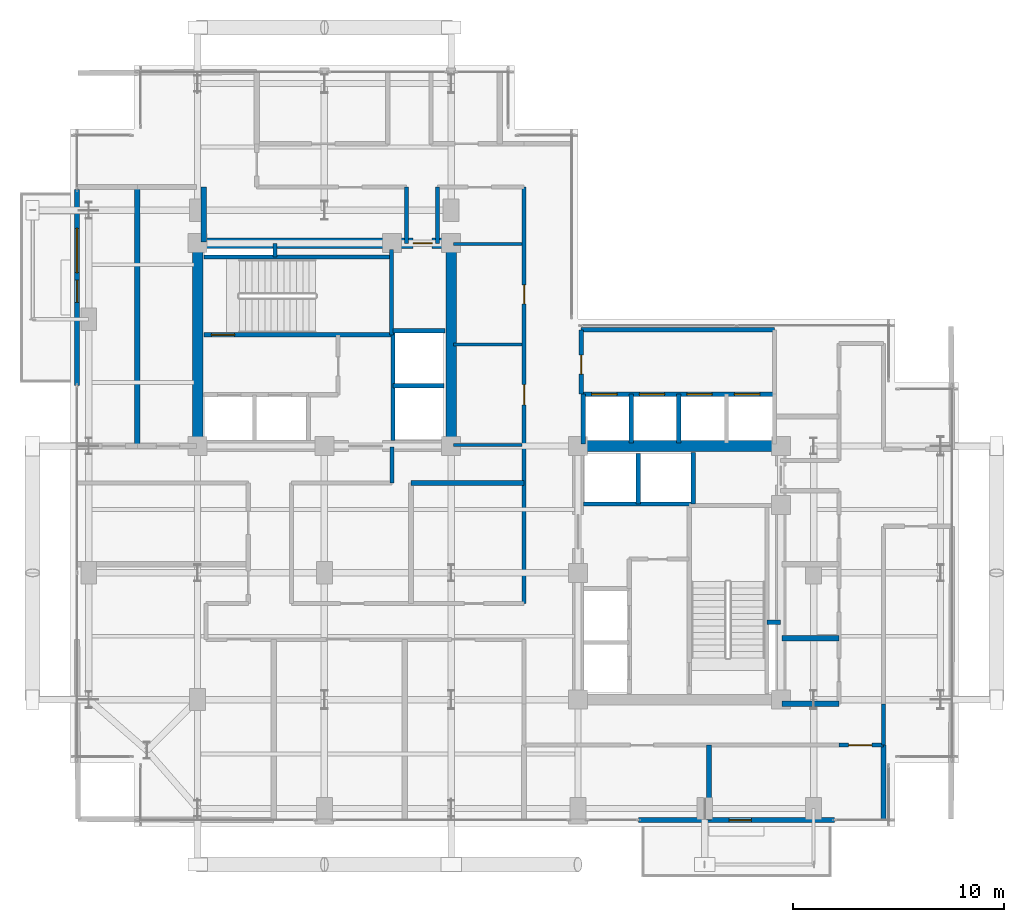
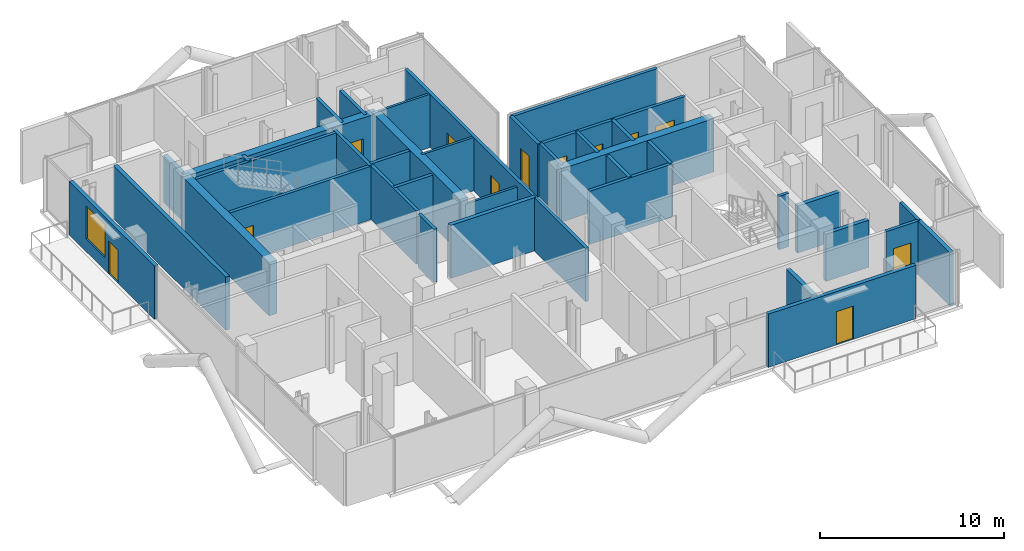
# One storey, part 21 of 26: 39 walls, 12 doors, 1 window, 13 openings.
"""IFC4 building model written with IfcOpenShell, lengths in metres."""

from ifc_helpers import new_model, si_unit, direction, frame, frame_2d, origin, place, context, subcontext, project, spatial, rectangle, extrude, material, layer, layer_set, type_object, element, fill, save


model = new_model("IFC4")

# Units and contexts
model_context = context("Model", 3, precision=1e-05, world=origin(), true_north=direction((0.0, 1.0)))
body_context = subcontext(model_context, "Body", "Model", "MODEL_VIEW")
ifc_project = project(units=[si_unit("LENGTHUNIT", "METRE"), si_unit("AREAUNIT", "SQUARE_METRE"), si_unit("VOLUMEUNIT", "CUBIC_METRE"), si_unit("PLANEANGLEUNIT", "RADIAN"), si_unit("MASSUNIT", "GRAM", prefix="KILO"), si_unit("THERMODYNAMICTEMPERATUREUNIT", "KELVIN"), si_unit("POWERUNIT", "WATT")], contexts=[model_context])

# Site, building, storey
site_placement = place(None, origin())
site = spatial("IfcSite", under=ifc_project, at=site_placement, CompositionType="ELEMENT")
building_placement = place(site_placement, origin())
building = spatial("IfcBuilding", under=site, at=building_placement, Name="Svarakhadi Broadcast Tower", CompositionType="ELEMENT")
storey_placement = place(building_placement, frame((0.0, 0.0, 180.449951171875)))
storey = spatial("IfcBuildingStorey", under=building, at=storey_placement, Name="L44", CompositionType="ELEMENT", Elevation=180.449951171875)

# Walls
ifc_material_1 = material(Name="Double-Stud Acoustic Studio Partition STC-62", Category="gypsum")
ifc_layer_1 = layer(ifc_material_1, 0.25)
ifc_layer_set_1 = layer_set([ifc_layer_1], Name="Double-Stud Acoustic Studio Partition STC-62")
wall_type_1 = type_object("IfcWallType", Name="Wall_Acoust_250", PredefinedType="PARTITIONING", material=ifc_layer_set_1)
wall_1_placement = place(storey_placement, frame((16.10009765625, 16.25, 0.0), z_axis=(0.0, 0.0, 1.0), x_axis=(1.0, 0.0, 0.0)))
element("IfcWall", 1, at=wall_1_placement, inside=storey, type_object=wall_type_1, Name="L44 Accessible Floor Washroom WC Wall", PredefinedType="PARTITIONING", context=body_context, shape_type="SweptSolid", body=[
    extrude(rectangle(XDim=5.349853515625, YDim=0.25, at=frame_2d((2.6748046875, 0.0))), origin(), (0.0, 0.0, 1.0), 3.5400390625),
])
wall_2_placement = place(storey_placement, frame((3.14990234375, 18.0, 0.0), z_axis=(0.0, 0.0, 1.0), x_axis=(0.0, 1.0, 0.0)))
element("IfcWall", 2, at=wall_2_placement, inside=storey, type_object=wall_type_1, Name="L44 Diplomatic Sunset Lounge Wall", PredefinedType="PARTITIONING", context=body_context, shape_type="SweptSolid", body=[
    extrude(rectangle(XDim=12.25, YDim=0.25, at=frame_2d((6.125, 0.0))), origin(), (0.0, 0.0, 1.0), 3.5400390625),
])
wall_3_placement = place(storey_placement, frame((30.199951171875, 0.300048828125, 0.0), z_axis=(0.0, 0.0, 1.0), x_axis=(0.0, 1.0, 0.0)))
element("IfcWall", 3, at=wall_3_placement, inside=storey, type_object=wall_type_1, Name="L44 Hotel Business Centre Office Wall", PredefinedType="PARTITIONING", context=body_context, shape_type="SweptSolid", body=[
    extrude(rectangle(XDim=3.550048828125, YDim=0.25, at=frame_2d((1.77490234375, 0.0))), origin(), (0.0, 0.0, 1.0), 3.217041015625),
])
wall_4_placement = place(storey_placement, frame((38.449951171875, 0.300048828125, 0.0), z_axis=(0.0, 0.0, 1.0), x_axis=(0.0, 1.0, 0.0)))
element("IfcWall", 4, at=wall_4_placement, inside=storey, type_object=wall_type_1, Name="L44 Private Dining Salon Wall", PredefinedType="PARTITIONING", context=body_context, shape_type="SweptSolid", body=[
    extrude(rectangle(XDim=3.550048828125, YDim=0.25, at=frame_2d((1.77490234375, 0.0))), origin(), (0.0, 0.0, 1.0), 3.5400390625),
])
wall_5_placement = place(storey_placement, frame((6.300048828125, 27.64990234375, 0.0), z_axis=(0.0, 0.0, 1.0), x_axis=(0.0, 1.0, 0.0)))
element("IfcWall", 5, at=wall_5_placement, inside=storey, type_object=wall_type_1, Name="L44 Guest Library Study Wall", PredefinedType="PARTITIONING", context=body_context, shape_type="SweptSolid", body=[
    extrude(rectangle(XDim=2.60009765625, YDim=0.25, at=frame_2d((1.300048828125, 0.0))), origin(), (0.0, 0.0, 1.0), 3.132080078125),
])
for number, where, z_axis, x_axis, name in (
    (6, (33.64990234375, 5.800048828125, 0.0), (0.0, 0.0, 1.0), (1.0, 0.0, 0.0), "L44 Sommelier Wine Tasting Room Wall"),
    (7, (33.64990234375, 8.89990234375, 0.0), (0.0, 0.0, 1.0), (1.0, 0.0, 0.0), "L44 Sommelier Wine Tasting Room Wall"),
):
    element("IfcWall", number, at=place(storey_placement, frame(where, z_axis=z_axis, x_axis=x_axis)), inside=storey, type_object=wall_type_1, Name=name, PredefinedType="PARTITIONING", context=body_context, shape_type="SweptSolid", body=[
        extrude(rectangle(XDim=2.7001953125, YDim=0.25, at=frame_2d((1.35009765625, 0.0))), origin(), (0.0, 0.0, 1.0), 3.132080078125),
    ])

# Wall, opening, door
ifc_material_2 = material(Name="Concrete C40/50 (IS 456 M50)", Category="concrete")
ifc_layer_2 = layer(ifc_material_2, 0.239990234375)
ifc_layer_set_2 = layer_set([ifc_layer_2], Name="Concrete C40/50 (IS 456 M50)")
wall_type_2 = type_object("IfcWallType", Name="Wall_Ext_240", PredefinedType="SOLIDWALL", material=ifc_layer_set_2)
wall_6_placement = place(storey_placement, frame((36.14501953125, 0.300048828125, 0.0), z_axis=(0.0, 0.0, 1.0), x_axis=(-1.0, 0.0, 0.0)))
wall_6 = element("IfcWall", 8, at=wall_6_placement, inside=storey, type_object=wall_type_2, Name="L44 South Tree Balcony Spandrel Wall", PredefinedType="SOLIDWALL", context=body_context, shape_type="SweptSolid", body=[
    extrude(rectangle(XDim=9.2900390625, YDim=0.239990234375, at=frame_2d((4.64501953125, 0.0))), origin(), (0.0, 0.0, 1.0), 3.5400390625),
])
opening_1_placement = place(wall_6_placement, frame((3.945068359375, 0.0, 0.0)))
opening_1 = element("IfcOpeningElement", 9, at=opening_1_placement, cuts=wall_6, Name="Opening ED-06", PredefinedType="OPENING", context=body_context, shape_type="SweptSolid", body=[
    extrude(rectangle(XDim=1.050048828125, YDim=2.199951171875, at=frame_2d((0.52490234375, 1.10009765625))), frame((0.0, 0.1298828125, 0.0), z_axis=(0.0, -1.0, 0.0), x_axis=(1.0, 0.0, 0.0)), (0.0, 0.0, 1.0), 0.260009765625),
])
ifc_material_3 = material(Name="Anodised Bronze Aluminium AA 6063-T6", Category="aluminium")
door_type_1 = type_object("IfcDoorType", Name="Door_Ext_ED06", OperationType="SINGLE_SWING_RIGHT", PredefinedType="DOOR", material=ifc_material_3)
door_1_placement = place(opening_1_placement, origin())
door_1 = element("IfcDoor", 10, at=door_1_placement, inside=storey, type_object=door_type_1, Name="L44 South Tree Balcony Door", OperationType="SINGLE_SWING_RIGHT", OverallHeight=2.199951171875, OverallWidth=1.050048828125, PredefinedType="DOOR", context=body_context, shape_type="SweptSolid", body=[
    extrude(rectangle(XDim=1.050048828125, YDim=2.199951171875, at=frame_2d((0.52490234375, 1.10009765625))), frame((0.0, 0.02490234375, 0.0), z_axis=(0.0, -1.0, 0.0), x_axis=(1.0, 0.0, 0.0)), (0.0, 0.0, 1.0), 0.050048828125),
])
fill(opening_1, door_1)

# Wall, openings, door, window
wall_7_placement = place(storey_placement, frame((0.300048828125, 20.85498046875, 0.0), z_axis=(0.0, 0.0, 1.0), x_axis=(0.0, 1.0, 0.0)))
wall_7 = element("IfcWall", 11, at=wall_7_placement, inside=storey, type_object=wall_type_2, Name="L44 West Tree Balcony Spandrel Wall", PredefinedType="SOLIDWALL", context=body_context, shape_type="SweptSolid", body=[
    extrude(rectangle(XDim=9.2900390625, YDim=0.239990234375, at=frame_2d((4.64501953125, 0.0))), origin(), (0.0, 0.0, 1.0), 3.5400390625),
])
opening_2_placement = place(wall_7_placement, frame((3.945068359375, 0.0, 0.0)))
opening_2 = element("IfcOpeningElement", 12, at=opening_2_placement, cuts=wall_7, Name="Opening ED-05", PredefinedType="OPENING", context=body_context, shape_type="SweptSolid", body=[
    extrude(rectangle(XDim=1.050048828125, YDim=2.199951171875, at=frame_2d((0.52490234375, 1.10009765625))), frame((0.0, 0.1298828125, 0.0), z_axis=(0.0, -1.0, 0.0), x_axis=(1.0, 0.0, 0.0)), (0.0, 0.0, 1.0), 0.260009765625),
])
opening_3_placement = place(wall_7_placement, frame((5.344970703125, 0.0, 0.85009765625)))
opening_3 = element("IfcOpeningElement", 13, at=opening_3_placement, cuts=wall_7, Name="Opening WN-06", PredefinedType="OPENING", context=body_context, shape_type="SweptSolid", body=[
    extrude(rectangle(XDim=2.10009765625, YDim=2.199951171875, at=frame_2d((1.050048828125, 1.10009765625))), frame((0.0, 0.1298828125, 0.0), z_axis=(0.0, -1.0, 0.0), x_axis=(1.0, 0.0, 0.0)), (0.0, 0.0, 1.0), 0.260009765625),
])
door_type_2 = type_object("IfcDoorType", Name="Door_Ext_ED05", OperationType="SINGLE_SWING_LEFT", PredefinedType="DOOR", material=ifc_material_3)
door_2_placement = place(opening_2_placement, origin())
door_2 = element("IfcDoor", 14, at=door_2_placement, inside=storey, type_object=door_type_2, Name="L44 West Tree Balcony Door", OperationType="SINGLE_SWING_LEFT", OverallHeight=2.199951171875, OverallWidth=1.050048828125, PredefinedType="DOOR", context=body_context, shape_type="SweptSolid", body=[
    extrude(rectangle(XDim=1.050048828125, YDim=2.199951171875, at=frame_2d((0.52490234375, 1.10009765625))), frame((0.0, 0.02490234375, 0.0), z_axis=(0.0, -1.0, 0.0), x_axis=(1.0, 0.0, 0.0)), (0.0, 0.0, 1.0), 0.050048828125),
])
fill(opening_2, door_2)
ifc_material_4 = material(Name="Double Low-E Laminated Acoustic Glass IGU 36 mm", Category="glass")
window_type = type_object("IfcWindowType", Name="Win_Hotel_WN06", PartitioningType="SINGLE_PANEL", PredefinedType="WINDOW", material=ifc_material_4)
window_placement = place(opening_3_placement, origin())
window = element("IfcWindow", 15, at=window_placement, inside=storey, type_object=window_type, Name="L44 West Tree Balcony Window", OverallHeight=2.199951171875, OverallWidth=2.10009765625, PartitioningType="SINGLE_PANEL", PredefinedType="WINDOW", context=body_context, shape_type="SweptSolid", body=[
    extrude(rectangle(XDim=2.10009765625, YDim=2.199951171875, at=frame_2d((1.050048828125, 1.10009765625))), frame((0.0, 0.030029296875, 0.0), z_axis=(0.0, -1.0, 0.0), x_axis=(1.0, 0.0, 0.0)), (0.0, 0.0, 1.0), 0.06005859375),
])
fill(opening_3, window)

# Walls
ifc_layer_3 = layer(ifc_material_2, 0.199951171875)
ifc_layer_set_3 = layer_set([ifc_layer_3], Name="Concrete C40/50 (IS 456 M50)")
wall_type_3 = type_object("IfcWallType", Name="Wall_Fire_200", PredefinedType="SOLIDWALL", material=ifc_layer_set_3)
for number, where, z_axis, x_axis, name in (
    (16, (9.659912109375, 26.93994140625, 0.0), (0.0, 0.0, 1.0), (0.0, 1.0, 0.0), "L44 Wet Riser Shaft East Wall"),
    (17, (32.93994140625, 9.659912109375, 0.0), (0.0, 0.0, 1.0), (1.0, 0.0, 0.0), "L44 HV Busduct Riser Shaft North Wall"),
):
    element("IfcWall", number, at=place(storey_placement, frame(where, z_axis=z_axis, x_axis=x_axis)), inside=storey, type_object=wall_type_3, Name=name, PredefinedType="SOLIDWALL", context=body_context, shape_type="SweptSolid", body=[
        extrude(rectangle(XDim=0.64013671875, YDim=0.199951171875, at=frame_2d((0.320068359375, 0.0))), origin(), (0.0, 0.0, 1.0), 3.5400390625),
    ])
wall_8_placement = place(storey_placement, frame((38.449951171875, 5.800048828125, 0.0), z_axis=(0.0, 0.0, 1.0), x_axis=(0.0, -1.0, 0.0)))
element("IfcWall", 18, at=wall_8_placement, inside=storey, type_object=wall_type_3, Name="L44 Zone 2/3 Corridor Wall", PredefinedType="SOLIDWALL", context=body_context, shape_type="SweptSolid", body=[
    extrude(rectangle(XDim=1.949951171875, YDim=0.199951171875, at=frame_2d((0.97509765625, 0.0))), origin(), (0.0, 0.0, 1.0), 3.5400390625),
])

# Wall, opening, door
wall_9_placement = place(storey_placement, frame((38.449951171875, 3.85009765625, 0.0), z_axis=(0.0, 0.0, 1.0), x_axis=(-1.0, 0.0, 0.0)))
wall_9 = element("IfcWall", 19, at=wall_9_placement, inside=storey, type_object=wall_type_3, Name="L44 Zone 2/3 Corridor Wall", PredefinedType="SOLIDWALL", context=body_context, shape_type="SweptSolid", body=[
    extrude(rectangle(XDim=2.099853515625, YDim=0.199951171875, at=frame_2d((1.0498046875, 0.0))), origin(), (0.0, 0.0, 1.0), 3.5400390625),
])
opening_4_placement = place(wall_9_placement, frame((0.550048828125, 0.0, 0.0)))
opening_4 = element("IfcOpeningElement", 20, at=opening_4_placement, cuts=wall_9, Name="Opening D-10", PredefinedType="OPENING", context=body_context, shape_type="SweptSolid", body=[
    extrude(rectangle(XDim=1.10009765625, YDim=2.25, at=frame_2d((0.550048828125, 1.125))), frame((0.0, 0.10986328125, 0.0), z_axis=(0.0, -1.0, 0.0), x_axis=(1.0, 0.0, 0.0)), (0.0, 0.0, 1.0), 0.219970703125),
])
ifc_material_5 = material(Name="Solid-Core Teak Veneer Acoustic Timber Leaf", Category="wood")
door_type_3 = type_object("IfcDoorType", Name="Door_Acoust_D10", OperationType="SINGLE_SWING_LEFT", PredefinedType="DOOR", material=ifc_material_5)
door_3_placement = place(opening_4_placement, origin())
door_3 = element("IfcDoor", 21, at=door_3_placement, inside=storey, type_object=door_type_3, Name="L44 Private Dining Salon Door", OperationType="SINGLE_SWING_LEFT", OverallHeight=2.25, OverallWidth=1.10009765625, PredefinedType="DOOR", context=body_context, shape_type="SweptSolid", body=[
    extrude(rectangle(XDim=1.10009765625, YDim=2.25, at=frame_2d((0.550048828125, 1.125))), frame((0.0, 0.02490234375, 0.0), z_axis=(0.0, -1.0, 0.0), x_axis=(1.0, 0.0, 0.0)), (0.0, 0.0, 1.0), 0.050048828125),
])
fill(opening_4, door_3)

# Wall
wall_10_placement = place(storey_placement, frame((15.199951171875, 17.949951171875, 0.0), z_axis=(0.0, 0.0, 1.0), x_axis=(0.0, -1.0, 0.0)))
element("IfcWall", 22, at=wall_10_placement, inside=storey, type_object=wall_type_3, Name="L44 Zone 2/3 Corridor Wall", PredefinedType="SOLIDWALL", context=body_context, shape_type="SweptSolid", body=[
    extrude(rectangle(XDim=1.699951171875, YDim=0.199951171875, at=frame_2d((0.85009765625, 0.0))), origin(), (0.0, 0.0, 1.0), 3.5400390625),
])

# Wall, openings, doors
wall_11_placement = place(storey_placement, frame((21.449951171875, 10.550048828125, 0.0), z_axis=(0.0, 0.0, 1.0), x_axis=(0.0, 1.0, 0.0)))
wall_11 = element("IfcWall", 23, at=wall_11_placement, inside=storey, type_object=wall_type_3, Name="L44 Zone 2/3 Corridor Wall", PredefinedType="SOLIDWALL", context=body_context, shape_type="SweptSolid", body=[
    extrude(rectangle(XDim=19.699951171875, YDim=0.199951171875, at=frame_2d((9.85009765625, 0.0))), origin(), (0.0, 0.0, 1.0), 3.5400390625),
])
opening_5_placement = place(wall_11_placement, frame((9.39990234375, 0.0, 0.0)))
opening_5 = element("IfcOpeningElement", 24, at=opening_5_placement, cuts=wall_11, Name="Opening D-07", PredefinedType="OPENING", context=body_context, shape_type="SweptSolid", body=[
    extrude(rectangle(XDim=0.949951171875, YDim=2.14990234375, at=frame_2d((0.47509765625, 1.074951171875))), frame((0.0, 0.10986328125, 0.0), z_axis=(0.0, -1.0, 0.0), x_axis=(1.0, 0.0, 0.0)), (0.0, 0.0, 1.0), 0.219970703125),
])
opening_6_placement = place(wall_11_placement, frame((14.175048828125, 0.0, 0.0)))
opening_6 = element("IfcOpeningElement", 25, at=opening_6_placement, cuts=wall_11, Name="Opening D-12", PredefinedType="OPENING", context=body_context, shape_type="SweptSolid", body=[
    extrude(rectangle(XDim=0.89990234375, YDim=2.10009765625, at=frame_2d((0.449951171875, 1.050048828125))), frame((0.0, 0.10986328125, 0.0), z_axis=(0.0, -1.0, 0.0), x_axis=(1.0, 0.0, 0.0)), (0.0, 0.0, 1.0), 0.219970703125),
])
door_type_4 = type_object("IfcDoorType", Name="Door_Office_D07", OperationType="SINGLE_SWING_RIGHT", PredefinedType="DOOR", material=ifc_material_5)
door_4_placement = place(opening_5_placement, origin())
door_4 = element("IfcDoor", 26, at=door_4_placement, inside=storey, type_object=door_type_4, Name="L44 Hotel Floor Butler Service Pantry Door", OperationType="SINGLE_SWING_RIGHT", OverallHeight=2.14990234375, OverallWidth=0.949951171875, PredefinedType="DOOR", context=body_context, shape_type="SweptSolid", body=[
    extrude(rectangle(XDim=0.949951171875, YDim=2.14990234375, at=frame_2d((0.47509765625, 1.074951171875))), frame((0.0, 0.02490234375, 0.0), z_axis=(0.0, -1.0, 0.0), x_axis=(1.0, 0.0, 0.0)), (0.0, 0.0, 1.0), 0.050048828125),
])
fill(opening_5, door_4)
door_type_5 = type_object("IfcDoorType", Name="Door_WC_D01", OperationType="SINGLE_SWING_LEFT", PredefinedType="DOOR", material=ifc_material_5)
door_5_placement = place(opening_6_placement, origin())
door_5 = element("IfcDoor", 27, at=door_5_placement, inside=storey, type_object=door_type_5, Name="L44 Accessible Guest Washroom WC Door", OperationType="SINGLE_SWING_LEFT", OverallHeight=2.10009765625, OverallWidth=0.89990234375, PredefinedType="DOOR", context=body_context, shape_type="SweptSolid", body=[
    extrude(rectangle(XDim=0.89990234375, YDim=2.10009765625, at=frame_2d((0.449951171875, 1.050048828125))), frame((0.0, 0.02490234375, 0.0), z_axis=(0.0, -1.0, 0.0), x_axis=(1.0, 0.0, 0.0)), (0.0, 0.0, 1.0), 0.050048828125),
])
fill(opening_6, door_5)

# Walls
for number, where, z_axis, x_axis, name in (
    (28, (17.35009765625, 30.25, 0.0), (0.0, 0.0, 1.0), (0.0, -1.0, 0.0), "L44 Zone 2/3 Corridor Wall"),
    (29, (15.8798828125, 27.580078125, 0.0), (0.0, 0.0, 1.0), (0.0, 1.0, 0.0), "L44 Zone 2/3 Corridor Wall"),
):
    element("IfcWall", number, at=place(storey_placement, frame(where, z_axis=z_axis, x_axis=x_axis)), inside=storey, type_object=wall_type_3, Name=name, PredefinedType="SOLIDWALL", context=body_context, shape_type="SweptSolid", body=[
        extrude(rectangle(XDim=2.669921875, YDim=0.199951171875, at=frame_2d((1.3349609375, 0.0))), origin(), (0.0, 0.0, 1.0), 3.5400390625),
    ])
ifc_material_6 = material(Name="Autoclaved Aerated Concrete Blockwork 150 mm", Category="masonry")
ifc_layer_4 = layer(ifc_material_6, 0.14990234375)
ifc_layer_set_4 = layer_set([ifc_layer_4], Name="Autoclaved Aerated Concrete Blockwork 150 mm")
wall_type_4 = type_object("IfcWallType", Name="Wall_Part_150", PredefinedType="PARTITIONING", material=ifc_layer_set_4)
wall_12_placement = place(storey_placement, frame((18.10009765625, 18.050048828125, 0.0), z_axis=(0.0, 0.0, 1.0), x_axis=(1.0, 0.0, 0.0)))
element("IfcWall", 30, at=wall_12_placement, inside=storey, type_object=wall_type_4, Name="L44 Hotel Floor Butler Service Pantry Wall", PredefinedType="PARTITIONING", context=body_context, shape_type="SweptSolid", body=[
    extrude(rectangle(XDim=3.25, YDim=0.14990234375, at=frame_2d((1.625, 0.0))), origin(), (0.0, 0.0, 1.0), 3.132080078125),
])
for number, where, z_axis, x_axis, name in (
    (31, (18.10009765625, 22.800048828125, 0.0), (0.0, 0.0, 1.0), (1.0, 0.0, 0.0), "L44 Hotel Floor Butler Service Pantry Wall"),
    (32, (18.10009765625, 27.550048828125, 0.0), (0.0, 0.0, 1.0), (1.0, 0.0, 0.0), "L44 Accessible Guest Washroom WC Wall"),
):
    element("IfcWall", number, at=place(storey_placement, frame(where, z_axis=z_axis, x_axis=x_axis)), inside=storey, type_object=wall_type_4, Name=name, PredefinedType="PARTITIONING", context=body_context, shape_type="SweptSolid", body=[
        extrude(rectangle(XDim=3.25, YDim=0.14990234375, at=frame_2d((1.625, 0.0))), origin(), (0.0, 0.0, 1.0), 3.5400390625),
    ])

# Wall, opening, door
ifc_material_7 = material(Name="Concrete C50/60 (IS 456 M60)", Category="concrete")
ifc_layer_5 = layer(ifc_material_7, 0.199951171875)
ifc_layer_set_5 = layer_set([ifc_layer_5], Name="Concrete C50/60 (IS 456 M60)")
wall_type_5 = type_object("IfcWallType", Name="Wall_Shear_200", PredefinedType="SHEAR", material=ifc_layer_set_5)
wall_13_placement = place(storey_placement, frame((6.300048828125, 23.260009765625, 0.0), z_axis=(0.0, 0.0, 1.0), x_axis=(1.0, 0.0, 0.0)))
wall_13 = element("IfcWall", 33, at=wall_13_placement, inside=storey, type_object=wall_type_5, Name="L44 Stair ST-01 South RC Shaft Wall", PredefinedType="SHEAR", context=body_context, shape_type="SweptSolid", body=[
    extrude(rectangle(XDim=8.8798828125, YDim=0.199951171875, at=frame_2d((4.43994140625, 0.0))), origin(), (0.0, 0.0, 1.0), 3.5400390625),
])
opening_7_placement = place(wall_13_placement, frame((0.35009765625, 0.0, 0.0)))
opening_7 = element("IfcOpeningElement", 34, at=opening_7_placement, cuts=wall_13, Name="Opening D-01", PredefinedType="OPENING", context=body_context, shape_type="SweptSolid", body=[
    extrude(rectangle(XDim=1.10009765625, YDim=2.199951171875, at=frame_2d((0.550048828125, 1.10009765625))), frame((0.0, 0.10986328125, 0.0), z_axis=(0.0, -1.0, 0.0), x_axis=(1.0, 0.0, 0.0)), (0.0, 0.0, 1.0), 0.219970703125),
])
ifc_material_8 = material(Name="Galvanised Powder-Coated Fire-Rated Steel Leaf", Category="steel")
door_type_6 = type_object("IfcDoorType", Name="Door_Stair_D01", OperationType="SINGLE_SWING_LEFT", PredefinedType="DOOR", material=ifc_material_8)
door_6_placement = place(opening_7_placement, origin())
door_6 = element("IfcDoor", 35, at=door_6_placement, inside=storey, type_object=door_type_6, Name="L44 Protected Exit Stair ST-01 Fire Door", OperationType="SINGLE_SWING_LEFT", OverallHeight=2.199951171875, OverallWidth=1.10009765625, PredefinedType="DOOR", context=body_context, shape_type="SweptSolid", body=[
    extrude(rectangle(XDim=1.10009765625, YDim=2.199951171875, at=frame_2d((0.550048828125, 1.10009765625))), frame((0.0, 0.02490234375, 0.0), z_axis=(0.0, -1.0, 0.0), x_axis=(1.0, 0.0, 0.0)), (0.0, 0.0, 1.0), 0.050048828125),
])
fill(opening_7, door_6)

# Walls
wall_14_placement = place(storey_placement, frame((6.300048828125, 26.93994140625, 0.0), z_axis=(0.0, 0.0, 1.0), x_axis=(1.0, 0.0, 0.0)))
element("IfcWall", 36, at=wall_14_placement, inside=storey, type_object=wall_type_5, Name="L44 Stair ST-01 North RC Shaft Wall", PredefinedType="SHEAR", context=body_context, shape_type="SweptSolid", body=[
    extrude(rectangle(XDim=8.8798828125, YDim=0.199951171875, at=frame_2d((4.43994140625, 0.0))), origin(), (0.0, 0.0, 1.0), 3.5400390625),
])
wall_15_placement = place(storey_placement, frame((15.179931640625, 23.260009765625, 0.0), z_axis=(0.0, 0.0, 1.0), x_axis=(0.0, 1.0, 0.0)))
element("IfcWall", 37, at=wall_15_placement, inside=storey, type_object=wall_type_5, Name="L44 Stair ST-01 East RC Shaft Wall", PredefinedType="SHEAR", context=body_context, shape_type="SweptSolid", body=[
    extrude(rectangle(XDim=4.0400390625, YDim=0.199951171875, at=frame_2d((2.02001953125, 0.0))), origin(), (0.0, 0.0, 1.0), 3.5400390625),
])
wall_16_placement = place(storey_placement, frame((15.25, 18.25, 0.0), z_axis=(0.0, 0.0, 1.0), x_axis=(0.0, 1.0, 0.0)))
element("IfcWall", 38, at=wall_16_placement, inside=storey, type_object=wall_type_5, Name="L44 High-Rise Lift LF-13/14 West Shaft Wall", PredefinedType="SHEAR", context=body_context, shape_type="SweptSolid", body=[
    extrude(rectangle(XDim=5.199951171875, YDim=0.199951171875, at=frame_2d((2.60009765625, 0.0))), origin(), (0.0, 0.0, 1.0), 3.5400390625),
])
wall_17_placement = place(storey_placement, frame((15.25, 20.85009765625, 0.0), z_axis=(0.0, 0.0, 1.0), x_axis=(1.0, 0.0, 0.0)))
element("IfcWall", 39, at=wall_17_placement, inside=storey, type_object=wall_type_5, Name="L44 High-Rise Lift LF-13/14 Divider", PredefinedType="SHEAR", context=body_context, shape_type="SweptSolid", body=[
    extrude(rectangle(XDim=2.39990234375, YDim=0.199951171875, at=frame_2d((1.199951171875, 0.0))), origin(), (0.0, 0.0, 1.0), 3.5400390625),
])
wall_18_placement = place(storey_placement, frame((15.25, 23.449951171875, 0.0), z_axis=(0.0, 0.0, 1.0), x_axis=(1.0, 0.0, 0.0)))
element("IfcWall", 40, at=wall_18_placement, inside=storey, type_object=wall_type_5, Name="L44 High-Rise Lift LF-13/14 North Wall", PredefinedType="SHEAR", context=body_context, shape_type="SweptSolid", body=[
    extrude(rectangle(XDim=2.449951171875, YDim=0.199951171875, at=frame_2d((1.22509765625, 0.0))), origin(), (0.0, 0.0, 1.0), 3.5400390625),
])
wall_19_placement = place(storey_placement, frame((24.25, 15.25, 0.0), z_axis=(0.0, 0.0, 1.0), x_axis=(1.0, 0.0, 0.0)))
element("IfcWall", 41, at=wall_19_placement, inside=storey, type_object=wall_type_5, Name="L44 High-Rise Lift LF-15/16 South Shaft Wall", PredefinedType="SHEAR", context=body_context, shape_type="SweptSolid", body=[
    extrude(rectangle(XDim=5.199951171875, YDim=0.199951171875, at=frame_2d((2.60009765625, 0.0))), origin(), (0.0, 0.0, 1.0), 3.5400390625),
])
wall_20_placement = place(storey_placement, frame((26.85009765625, 15.25, 0.0), z_axis=(0.0, 0.0, 1.0), x_axis=(0.0, 1.0, 0.0)))
element("IfcWall", 42, at=wall_20_placement, inside=storey, type_object=wall_type_5, Name="L44 High-Rise Lift LF-15/16 Divider", PredefinedType="SHEAR", context=body_context, shape_type="SweptSolid", body=[
    extrude(rectangle(XDim=2.39990234375, YDim=0.199951171875, at=frame_2d((1.199951171875, 0.0))), origin(), (0.0, 0.0, 1.0), 3.5400390625),
])
wall_21_placement = place(storey_placement, frame((29.449951171875, 15.25, 0.0), z_axis=(0.0, 0.0, 1.0), x_axis=(0.0, 1.0, 0.0)))
element("IfcWall", 43, at=wall_21_placement, inside=storey, type_object=wall_type_5, Name="L44 High-Rise Lift LF-15/16 East Wall", PredefinedType="SHEAR", context=body_context, shape_type="SweptSolid", body=[
    extrude(rectangle(XDim=2.449951171875, YDim=0.199951171875, at=frame_2d((1.22509765625, 0.0))), origin(), (0.0, 0.0, 1.0), 3.5400390625),
])
wall_22_placement = place(storey_placement, frame((24.25, 18.10009765625, 0.0), z_axis=(0.0, 0.0, 1.0), x_axis=(0.0, 1.0, 0.0)))
element("IfcWall", 44, at=wall_22_placement, inside=storey, type_object=wall_type_5, Name="L44 Bank B West Shaft Wall", PredefinedType="SHEAR", context=body_context, shape_type="SweptSolid", body=[
    extrude(rectangle(XDim=2.349853515625, YDim=0.199951171875, at=frame_2d((1.1748046875, 0.0))), origin(), (0.0, 0.0, 1.0), 3.5400390625),
])

# Wall, openings, doors
wall_23_placement = place(storey_placement, frame((24.25, 20.449951171875, 0.0), z_axis=(0.0, 0.0, 1.0), x_axis=(1.0, 0.0, 0.0)))
wall_23 = element("IfcWall", 45, at=wall_23_placement, inside=storey, type_object=wall_type_5, Name="L44 Bank B North Landing Wall", PredefinedType="SHEAR", context=body_context, shape_type="SweptSolid", body=[
    extrude(rectangle(XDim=9.050048828125, YDim=0.199951171875, at=frame_2d((4.52490234375, 0.0))), origin(), (0.0, 0.0, 1.0), 3.5400390625),
])
opening_8_placement = place(wall_23_placement, frame((0.39990234375, 0.0, 0.0)))
opening_8 = element("IfcOpeningElement", 46, at=opening_8_placement, cuts=wall_23, Name="Opening LD-02", PredefinedType="OPENING", context=body_context, shape_type="SweptSolid", body=[
    extrude(rectangle(XDim=1.199951171875, YDim=2.199951171875, at=frame_2d((0.60009765625, 1.10009765625))), frame((0.0, 0.10986328125, 0.0), z_axis=(0.0, -1.0, 0.0), x_axis=(1.0, 0.0, 0.0)), (0.0, 0.0, 1.0), 0.219970703125),
])
opening_9_placement = place(wall_23_placement, frame((2.64990234375, 0.0, 0.0)))
opening_9 = element("IfcOpeningElement", 47, at=opening_9_placement, cuts=wall_23, Name="Opening LD-02", PredefinedType="OPENING", context=body_context, shape_type="SweptSolid", body=[
    extrude(rectangle(XDim=1.199951171875, YDim=2.199951171875, at=frame_2d((0.60009765625, 1.10009765625))), frame((0.0, 0.10986328125, 0.0), z_axis=(0.0, -1.0, 0.0), x_axis=(1.0, 0.0, 0.0)), (0.0, 0.0, 1.0), 0.219970703125),
])
opening_10_placement = place(wall_23_placement, frame((4.89990234375, 0.0, 0.0)))
opening_10 = element("IfcOpeningElement", 48, at=opening_10_placement, cuts=wall_23, Name="Opening LD-02", PredefinedType="OPENING", context=body_context, shape_type="SweptSolid", body=[
    extrude(rectangle(XDim=1.199951171875, YDim=2.199951171875, at=frame_2d((0.60009765625, 1.10009765625))), frame((0.0, 0.10986328125, 0.0), z_axis=(0.0, -1.0, 0.0), x_axis=(1.0, 0.0, 0.0)), (0.0, 0.0, 1.0), 0.219970703125),
])
opening_11_placement = place(wall_23_placement, frame((7.14990234375, 0.0, 0.0)))
opening_11 = element("IfcOpeningElement", 49, at=opening_11_placement, cuts=wall_23, Name="Opening LD-02", PredefinedType="OPENING", context=body_context, shape_type="SweptSolid", body=[
    extrude(rectangle(XDim=1.199951171875, YDim=2.199951171875, at=frame_2d((0.60009765625, 1.10009765625))), frame((0.0, 0.10986328125, 0.0), z_axis=(0.0, -1.0, 0.0), x_axis=(1.0, 0.0, 0.0)), (0.0, 0.0, 1.0), 0.219970703125),
])
door_type_7 = type_object("IfcDoorType", Name="Door_Lift_LD02", OperationType="SLIDING_TO_RIGHT", PredefinedType="DOOR", material=ifc_material_8)
door_7_placement = place(opening_8_placement, origin())
door_7 = element("IfcDoor", 50, at=door_7_placement, inside=storey, type_object=door_type_7, Name="L44 Mid-Rise Lift LF-09 Landing Door", OperationType="SLIDING_TO_RIGHT", OverallHeight=2.199951171875, OverallWidth=1.199951171875, PredefinedType="DOOR", context=body_context, shape_type="SweptSolid", body=[
    extrude(rectangle(XDim=1.199951171875, YDim=2.199951171875, at=frame_2d((0.60009765625, 1.10009765625))), frame((0.0, 0.02490234375, 0.0), z_axis=(0.0, -1.0, 0.0), x_axis=(1.0, 0.0, 0.0)), (0.0, 0.0, 1.0), 0.050048828125),
])
fill(opening_8, door_7)
door_8_placement = place(opening_9_placement, origin())
door_8 = element("IfcDoor", 51, at=door_8_placement, inside=storey, type_object=door_type_7, Name="L44 Mid-Rise Lift LF-10 Landing Door", OperationType="SLIDING_TO_RIGHT", OverallHeight=2.199951171875, OverallWidth=1.199951171875, PredefinedType="DOOR", context=body_context, shape_type="SweptSolid", body=[
    extrude(rectangle(XDim=1.199951171875, YDim=2.199951171875, at=frame_2d((0.60009765625, 1.10009765625))), frame((0.0, 0.02490234375, 0.0), z_axis=(0.0, -1.0, 0.0), x_axis=(1.0, 0.0, 0.0)), (0.0, 0.0, 1.0), 0.050048828125),
])
fill(opening_9, door_8)
door_9_placement = place(opening_10_placement, origin())
door_9 = element("IfcDoor", 52, at=door_9_placement, inside=storey, type_object=door_type_7, Name="L44 Mid-Rise Lift LF-11 Landing Door", OperationType="SLIDING_TO_RIGHT", OverallHeight=2.199951171875, OverallWidth=1.199951171875, PredefinedType="DOOR", context=body_context, shape_type="SweptSolid", body=[
    extrude(rectangle(XDim=1.199951171875, YDim=2.199951171875, at=frame_2d((0.60009765625, 1.10009765625))), frame((0.0, 0.02490234375, 0.0), z_axis=(0.0, -1.0, 0.0), x_axis=(1.0, 0.0, 0.0)), (0.0, 0.0, 1.0), 0.050048828125),
])
fill(opening_10, door_9)
door_10_placement = place(opening_11_placement, origin())
door_10 = element("IfcDoor", 53, at=door_10_placement, inside=storey, type_object=door_type_7, Name="L44 Mid-Rise Lift LF-12 Landing Door", OperationType="SLIDING_TO_RIGHT", OverallHeight=2.199951171875, OverallWidth=1.199951171875, PredefinedType="DOOR", context=body_context, shape_type="SweptSolid", body=[
    extrude(rectangle(XDim=1.199951171875, YDim=2.199951171875, at=frame_2d((0.60009765625, 1.10009765625))), frame((0.0, 0.02490234375, 0.0), z_axis=(0.0, -1.0, 0.0), x_axis=(1.0, 0.0, 0.0)), (0.0, 0.0, 1.0), 0.050048828125),
])
fill(opening_11, door_10)

# Walls
for number, where, z_axis, x_axis, name in (
    (54, (26.52001953125, 18.14990234375, 0.0), (0.0, 0.0, 1.0), (0.0, 1.0, 0.0), "L44 Bank B Divider"),
    (55, (28.77001953125, 18.14990234375, 0.0), (0.0, 0.0, 1.0), (0.0, 1.0, 0.0), "L44 Bank B Divider"),
):
    element("IfcWall", number, at=place(storey_placement, frame(where, z_axis=z_axis, x_axis=x_axis)), inside=storey, type_object=wall_type_5, Name=name, PredefinedType="SHEAR", context=body_context, shape_type="SweptSolid", body=[
        extrude(rectangle(XDim=2.300048828125, YDim=0.199951171875, at=frame_2d((1.14990234375, 0.0))), origin(), (0.0, 0.0, 1.0), 3.5400390625),
    ])
wall_24_placement = place(storey_placement, frame((24.14990234375, 23.5, 0.0), z_axis=(0.0, 0.0, 1.0), x_axis=(1.0, 0.0, 0.0)))
element("IfcWall", 56, at=wall_24_placement, inside=storey, type_object=wall_type_5, Name="L44 Bank B Lift Hall North Wall", PredefinedType="SHEAR", context=body_context, shape_type="SweptSolid", body=[
    extrude(rectangle(XDim=9.150146484375, YDim=0.199951171875, at=frame_2d((4.5751953125, 0.0))), origin(), (0.0, 0.0, 1.0), 3.5400390625),
])

# Wall, opening, door
wall_25_placement = place(storey_placement, frame((24.14990234375, 20.449951171875, 0.0), z_axis=(0.0, 0.0, 1.0), x_axis=(0.0, 1.0, 0.0)))
wall_25 = element("IfcWall", 57, at=wall_25_placement, inside=storey, type_object=wall_type_5, Name="L44 Bank B Lift Hall West Wall", PredefinedType="SHEAR", context=body_context, shape_type="SweptSolid", body=[
    extrude(rectangle(XDim=3.050048828125, YDim=0.199951171875, at=frame_2d((1.52490234375, 0.0))), origin(), (0.0, 0.0, 1.0), 3.5400390625),
])
opening_12_placement = place(wall_25_placement, frame((0.949951171875, 0.0, 0.0)))
opening_12 = element("IfcOpeningElement", 58, at=opening_12_placement, cuts=wall_25, Name="Opening D-04", PredefinedType="OPENING", context=body_context, shape_type="SweptSolid", body=[
    extrude(rectangle(XDim=0.89990234375, YDim=2.14990234375, at=frame_2d((0.449951171875, 1.074951171875))), frame((0.0, 0.10986328125, 0.0), z_axis=(0.0, -1.0, 0.0), x_axis=(1.0, 0.0, 0.0)), (0.0, 0.0, 1.0), 0.219970703125),
])
door_type_8 = type_object("IfcDoorType", Name="Door_Fire_D04", OperationType="SINGLE_SWING_RIGHT", PredefinedType="DOOR", material=ifc_material_8)
door_11_placement = place(opening_12_placement, origin())
door_11 = element("IfcDoor", 59, at=door_11_placement, inside=storey, type_object=door_type_8, Name="L44 Mid-Rise Lift Hall West Corridor Door", OperationType="SINGLE_SWING_RIGHT", OverallHeight=2.14990234375, OverallWidth=0.89990234375, PredefinedType="DOOR", context=body_context, shape_type="SweptSolid", body=[
    extrude(rectangle(XDim=0.89990234375, YDim=2.14990234375, at=frame_2d((0.449951171875, 1.074951171875))), frame((0.0, 0.02490234375, 0.0), z_axis=(0.0, -1.0, 0.0), x_axis=(1.0, 0.0, 0.0)), (0.0, 0.0, 1.0), 0.050048828125),
])
fill(opening_12, door_11)

ifc_layer_6 = layer(ifc_material_7, 0.5)
ifc_layer_set_6 = layer_set([ifc_layer_6], Name="Concrete C50/60 (IS 456 M60)")
wall_type_6 = type_object("IfcWallType", Name="Wall_Shear_500", PredefinedType="SHEAR", material=ifc_layer_set_6)
wall_26_placement = place(storey_placement, frame((6.0, 27.60009765625, 0.0), z_axis=(0.0, 0.0, 1.0), x_axis=(1.0, 0.0, 0.0)))
wall_26 = element("IfcWall", 60, at=wall_26_placement, inside=storey, type_object=wall_type_6, Name="L44 West Core North Shear Wall", PredefinedType="SHEAR", context=body_context, shape_type="SweptSolid", body=[
    extrude(rectangle(XDim=12.0, YDim=0.5, at=frame_2d((6.0, 0.0))), origin(), (0.0, 0.0, 1.0), 3.5400390625),
])
opening_13_placement = place(wall_26_placement, frame((10.199951171875, 0.0, 0.0)))
opening_13 = element("IfcOpeningElement", 61, at=opening_13_placement, cuts=wall_26, Name="Opening D-03", PredefinedType="OPENING", context=body_context, shape_type="SweptSolid", body=[
    extrude(rectangle(XDim=0.89990234375, YDim=2.14990234375, at=frame_2d((0.449951171875, 1.074951171875))), frame((0.0, 0.260009765625, 0.0), z_axis=(0.0, -1.0, 0.0), x_axis=(1.0, 0.0, 0.0)), (0.0, 0.0, 1.0), 0.52001953125),
])
door_type_9 = type_object("IfcDoorType", Name="Door_Fire_D03", OperationType="SINGLE_SWING_LEFT", PredefinedType="DOOR", material=ifc_material_8)
door_12_placement = place(opening_13_placement, origin())
door_12 = element("IfcDoor", 62, at=door_12_placement, inside=storey, type_object=door_type_9, Name="L44 Core Service Room West Door", OperationType="SINGLE_SWING_LEFT", OverallHeight=2.14990234375, OverallWidth=0.89990234375, PredefinedType="DOOR", context=body_context, shape_type="SweptSolid", body=[
    extrude(rectangle(XDim=0.89990234375, YDim=2.14990234375, at=frame_2d((0.449951171875, 1.074951171875))), frame((0.0, 0.02490234375, 0.0), z_axis=(0.0, -1.0, 0.0), x_axis=(1.0, 0.0, 0.0)), (0.0, 0.0, 1.0), 0.050048828125),
])
fill(opening_13, door_12)

# Walls
for number, where, z_axis, x_axis, name in (
    (63, (6.0, 18.0, 0.0), (0.0, 0.0, 1.0), (0.0, 1.0, 0.0), "L44 West Core West Shear Wall"),
    (64, (18.0, 18.0, 0.0), (0.0, 0.0, 1.0), (0.0, 1.0, 0.0), "L44 West Core East Shear Wall"),
    (65, (24.0, 18.0, 0.0), (0.0, 0.0, 1.0), (1.0, 0.0, 0.0), "L44 East Core North Shear Wall"),
):
    element("IfcWall", number, at=place(storey_placement, frame(where, z_axis=z_axis, x_axis=x_axis)), inside=storey, type_object=wall_type_6, Name=name, PredefinedType="SHEAR", context=body_context, shape_type="SweptSolid", body=[
        extrude(rectangle(XDim=9.60009765625, YDim=0.5, at=frame_2d((4.800048828125, 0.0))), origin(), (0.0, 0.0, 1.0), 3.5400390625),
    ])

save(model, "model.ifc")
